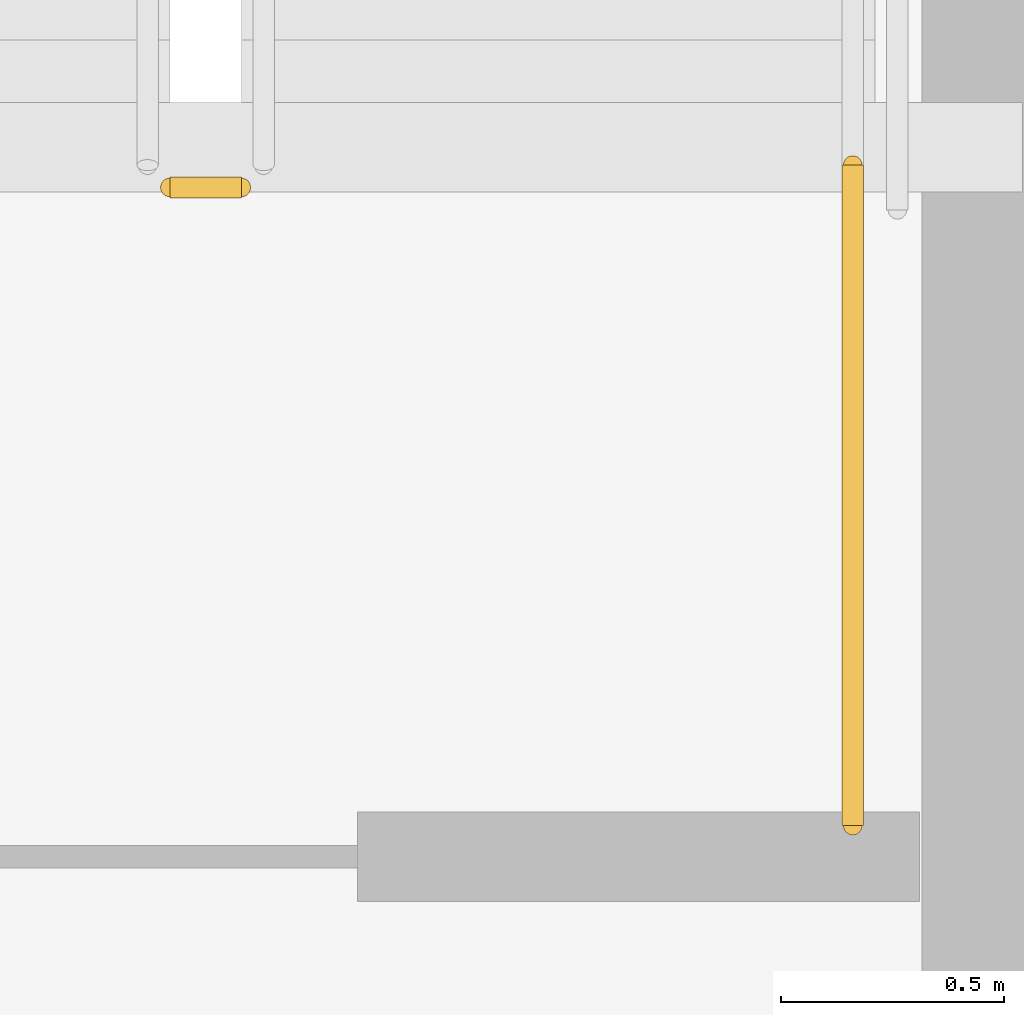
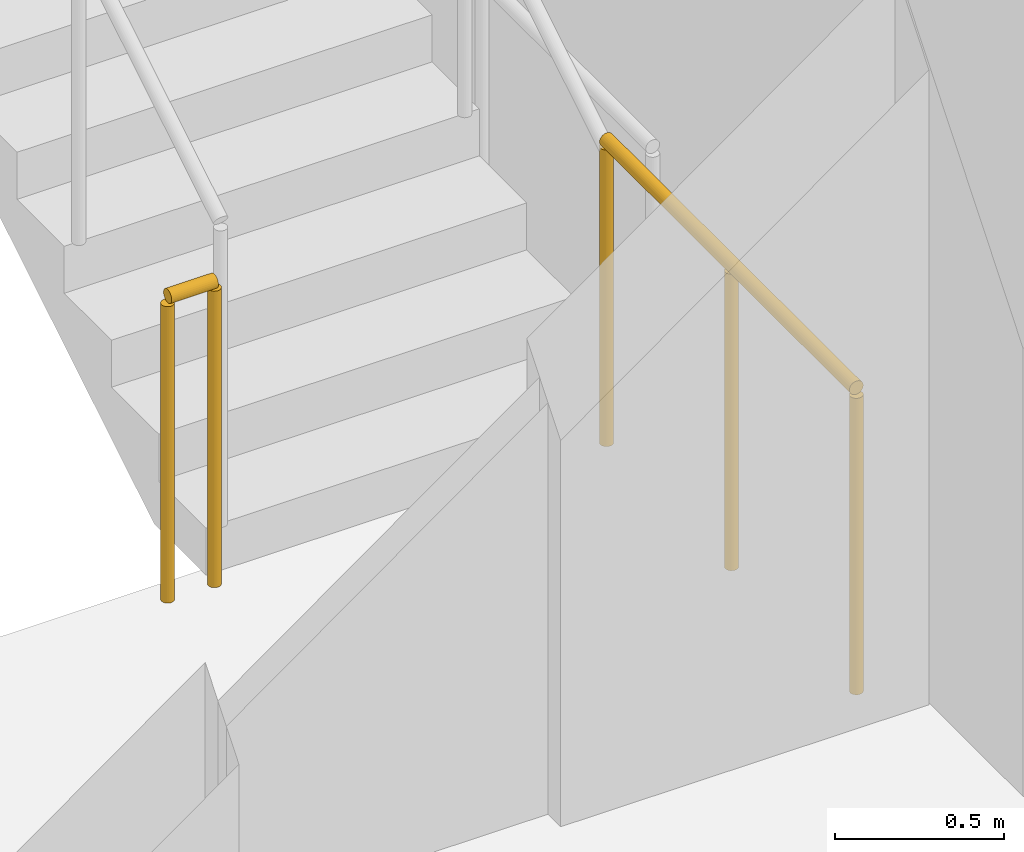
# One storey, part 29 of 33: 2 railings.
"""IFC4 building model written with IfcOpenShell, lengths in metres."""

from ifc_helpers import new_model, si_unit, direction, frame, origin, origin_2d, place, context, subcontext, project, spatial, circle, extrude, material, layer, layer_set, type_object, element, save


model = new_model("IFC4")

# Units and contexts
model_context = context("Model", 3, precision=1e-05, world=origin(), true_north=direction((0.0, 1.0)))
body_context = subcontext(model_context, "Body", "Model", "MODEL_VIEW")
ifc_project = project(units=[si_unit("LENGTHUNIT", "METRE"), si_unit("AREAUNIT", "SQUARE_METRE"), si_unit("VOLUMEUNIT", "CUBIC_METRE"), si_unit("PLANEANGLEUNIT", "RADIAN"), si_unit("MASSUNIT", "GRAM", prefix="KILO")], contexts=[model_context])

# Site, building, storey
site_placement = place(None, origin())
site = spatial("IfcSite", under=ifc_project, at=site_placement, CompositionType="ELEMENT")
building_placement = place(site_placement, origin())
building = spatial("IfcBuilding", under=site, at=building_placement, Name="Yelkora Congress Tower", CompositionType="ELEMENT")
storey_placement = place(building_placement, frame((0.0, 0.0, 127.10009765625)))
storey = spatial("IfcBuildingStorey", under=building, at=storey_placement, Name="L34", CompositionType="ELEMENT", Elevation=127.10009765625)

# Railings
ifc_material = material(Name="Painted galvanised steel stair well guard with vertical infill", Category="steel")
ifc_layer = layer(ifc_material, 0.06005859375)
ifc_layer_set = layer_set([ifc_layer], Name="Painted galvanised steel stair well guard with vertical infill")
railing_type = type_object("IfcRailingType", Name="RAIL-STAIR-GUARD-1120", PredefinedType="GUARDRAIL", material=ifc_layer_set)
railing_1_placement = place(storey_placement, frame((25.39990234375, 39.550048828125, 0.0)))
element("IfcRailing", 1, at=railing_1_placement, inside=storey, type_object=railing_type, Name="ST-01 L34 Stair Well Guardrail 7", PredefinedType="GUARDRAIL", context=body_context, shape_type="SweptSolid", body=[
    extrude(circle(Radius=0.02392578125, at=origin_2d()), frame((0.0, 0.0, 1.09619140625), z_axis=(-1.0, 0.0, 0.0), x_axis=(0.0, -1.0, 0.0)), (0.0, 0.0, 1.0), 0.159912109375),
    extrude(circle(Radius=0.02099609375, at=origin_2d()), origin(), (0.0, 0.0, 1.0), 1.072021484375),
    extrude(circle(Radius=0.02099609375, at=origin_2d()), frame((-0.159912109375, 0.0, 0.0)), (0.0, 0.0, 1.0), 1.072021484375),
])
railing_2_placement = place(storey_placement, frame((26.77001953125, 38.1201171875, 0.0)))
element("IfcRailing", 2, at=railing_2_placement, inside=storey, type_object=railing_type, Name="ST-01 L34 Stair Well Guardrail 8", PredefinedType="GUARDRAIL", context=body_context, shape_type="SweptSolid", body=[
    extrude(circle(Radius=0.02392578125, at=origin_2d()), frame((0.0, 0.0, 1.09619140625), z_axis=(0.0, 1.0, 0.0), x_axis=(-1.0, 0.0, 0.0)), (0.0, 0.0, 1.0), 1.47998046875),
    extrude(circle(Radius=0.02099609375, at=origin_2d()), origin(), (0.0, 0.0, 1.0), 1.072021484375),
    extrude(circle(Radius=0.02099609375, at=origin_2d()), frame((0.0, 0.739990234375, 0.0)), (0.0, 0.0, 1.0), 1.072021484375),
    extrude(circle(Radius=0.02099609375, at=origin_2d()), frame((0.0, 1.47998046875, 0.0)), (0.0, 0.0, 1.0), 1.072021484375),
])

save(model, "model.ifc")
